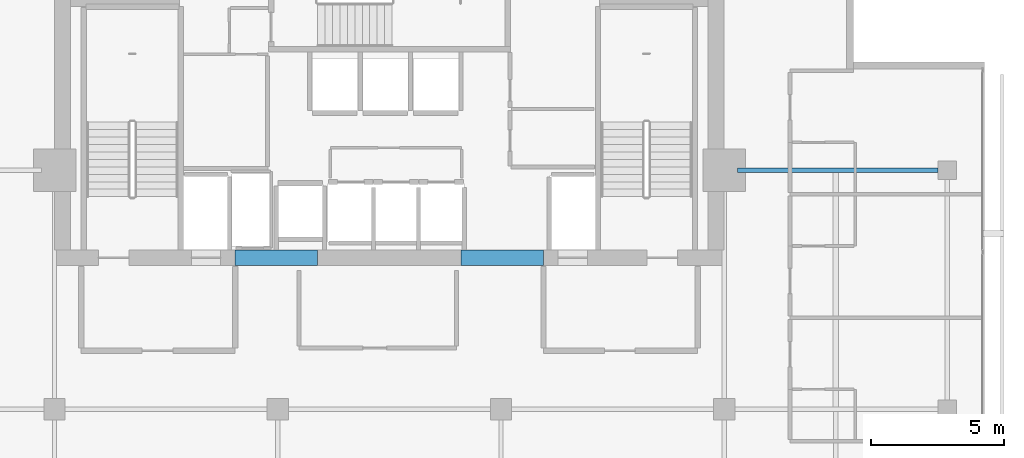
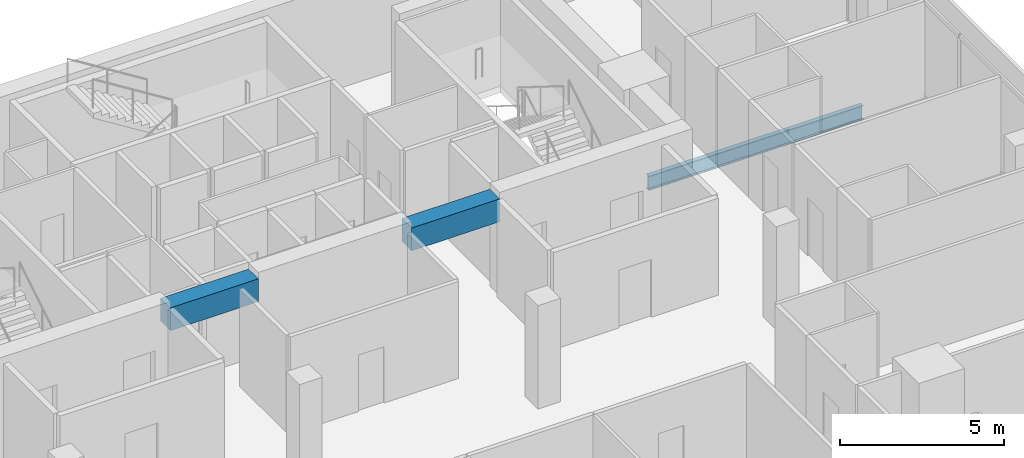
# One storey, part 17 of 26: 3 beams.
"""IFC4 building model written with IfcOpenShell, lengths in metres."""

from ifc_helpers import new_model, si_unit, direction, frame, origin, origin_2d, place, context, subcontext, project, spatial, rectangle, i_section, extrude, material, material_profile, profile_set, type_object, element, save


model = new_model("IFC4")

# Units and contexts
model_context = context("Model", 3, precision=1e-05, world=origin(), true_north=direction((0.0, 1.0)))
body_context = subcontext(model_context, "Body", "Model", "MODEL_VIEW")
ifc_project = project(units=[si_unit("LENGTHUNIT", "METRE"), si_unit("AREAUNIT", "SQUARE_METRE"), si_unit("VOLUMEUNIT", "CUBIC_METRE"), si_unit("PLANEANGLEUNIT", "RADIAN"), si_unit("MASSUNIT", "GRAM", prefix="KILO")], contexts=[model_context])

# Site, building, storey
site_placement = place(None, origin())
site = spatial("IfcSite", under=ifc_project, at=site_placement, CompositionType="ELEMENT")
building_placement = place(site_placement, origin())
building = spatial("IfcBuilding", under=site, at=building_placement, Name="Maruvema Waterfront Hotel and Observation Tower", CompositionType="ELEMENT")
storey_placement = place(building_placement, frame((0.0, 0.0, 293.300048828125)))
storey = spatial("IfcBuildingStorey", under=building, at=storey_placement, Name="L72", CompositionType="ELEMENT", Elevation=293.300048828125)

# Beams
ifc_material_1 = material(Name="Concrete C60/75", Category="concrete")
ifc_material_profile_1 = material_profile(ifc_material_1, rectangle(XDim=0.60009765625, YDim=0.85009765625, at=origin_2d()), Name="CB600x850")
ifc_profile_set_1 = profile_set([ifc_material_profile_1], Name="Concrete C60/75")
beam_type_1 = type_object("IfcBeamType", Name="Core Coupling Lintel Beam CB600x850", PredefinedType="LINTEL", material=ifc_profile_set_1)
for number, where, z_axis, x_axis, name in (
    (1, (32.0, 41.699951171875, 3.18505859375), (1.0, 0.0, 0.0), (0.0, 1.0, 0.0), "L72 Core Coupling Lintel Beam West"),
    (2, (40.5, 41.699951171875, 3.18505859375), (1.0, 0.0, 0.0), (0.0, 1.0, 0.0), "L72 Core Coupling Lintel Beam East"),
):
    element("IfcBeam", number, at=place(storey_placement, frame(where, z_axis=z_axis, x_axis=x_axis)), inside=storey, type_object=beam_type_1, Name=name, PredefinedType="LINTEL", context=body_context, shape_type="SweptSolid", body=[
        extrude(rectangle(XDim=0.60009765625, YDim=0.85009765625, at=origin_2d()), origin(), (0.0, 0.0, 1.0), 3.10009765625),
    ])
ifc_material_2 = material(Name="Steel ASTM A572 Grade 50", Category="steel")
ifc_material_profile_2 = material_profile(ifc_material_2, i_section(OverallWidth=0.166015625, OverallDepth=0.529052734375, WebThickness=0.009765625, FlangeThickness=0.013671875, FilletRadius=0.014892578125, at=origin_2d()), Name="W530x74.0")
ifc_profile_set_2 = profile_set([ifc_material_profile_2], Name="Steel ASTM A572 Grade 50")
beam_type_2 = type_object("IfcBeamType", Name="Primary Floor Girder W530x74.0", PredefinedType="BEAM", material=ifc_profile_set_2)
beam_placement = place(storey_placement, frame((50.89990234375, 45.0, -0.504638671875), z_axis=(1.0, 0.0, 0.0), x_axis=(0.0, 1.0, 0.0)))
element("IfcBeam", 3, at=beam_placement, inside=storey, type_object=beam_type_2, Name="L72 Floor Girder EW-18", PredefinedType="BEAM", context=body_context, shape_type="SweptSolid", body=[
    extrude(i_section(OverallWidth=0.166015625, OverallDepth=0.529052734375, WebThickness=0.009765625, FlangeThickness=0.013671875, FilletRadius=0.014892578125, at=origin_2d()), origin(), (0.0, 0.0, 1.0), 7.550048828125),
])

save(model, "model.ifc")
